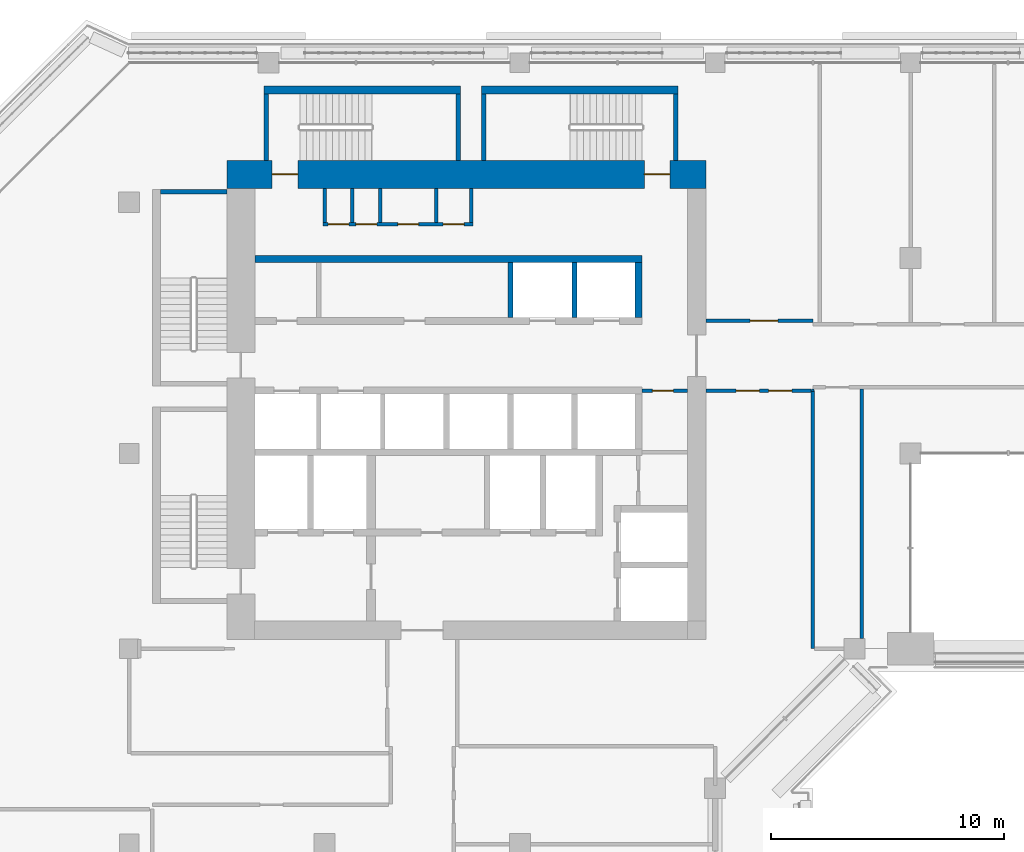
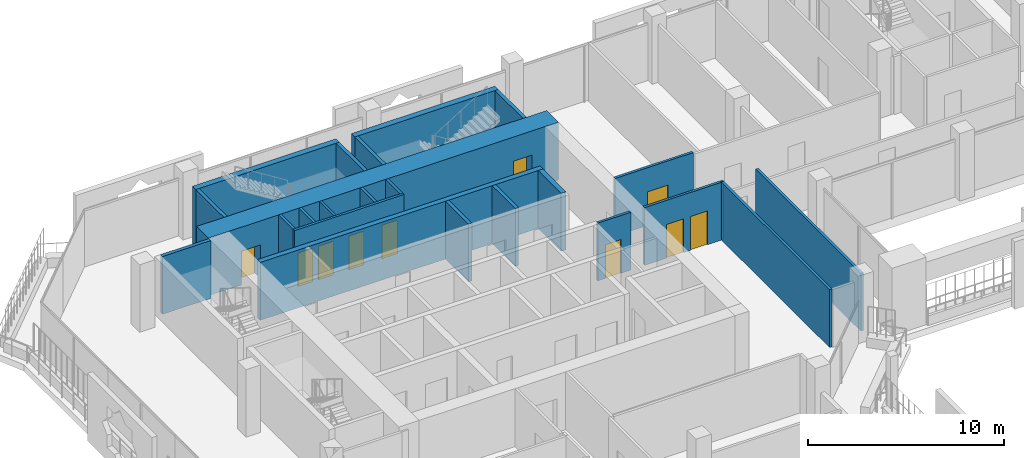
# One storey, part 14 of 23: 24 walls, 10 doors, 10 openings.
"""IFC4 building model written with IfcOpenShell, lengths in metres."""

from ifc_helpers import new_model, si_unit, direction, frame, frame_2d, origin, place, context, subcontext, project, spatial, rectangle, extrude, material, layer, layer_set, type_object, element, fill, save


model = new_model("IFC4")

# Units and contexts
model_context = context("Model", 3, precision=1e-05, world=origin(), true_north=direction((0.0, 1.0)))
body_context = subcontext(model_context, "Body", "Model", "MODEL_VIEW")
ifc_project = project(units=[si_unit("LENGTHUNIT", "METRE"), si_unit("AREAUNIT", "SQUARE_METRE"), si_unit("VOLUMEUNIT", "CUBIC_METRE"), si_unit("PLANEANGLEUNIT", "RADIAN"), si_unit("MASSUNIT", "GRAM", prefix="KILO")], contexts=[model_context])

# Site, building, storey
site_placement = place(None, origin())
site = spatial("IfcSite", under=ifc_project, at=site_placement, CompositionType="ELEMENT")
building_placement = place(site_placement, origin())
building = spatial("IfcBuilding", under=site, at=building_placement, Name="Kawkab Arch Medical Tower", CompositionType="ELEMENT")
storey_placement = place(building_placement, frame((0.0, 0.0, 226.39990234375)))
storey = spatial("IfcBuildingStorey", under=building, at=storey_placement, Name="L52", CompositionType="ELEMENT", Elevation=226.39990234375)

# Wall, openings, doors
ifc_material_1 = material(Name="Concrete C50/60", Category="concrete")
ifc_layer_1 = layer(ifc_material_1, 1.199951171875)
ifc_layer_set_1 = layer_set([ifc_layer_1], Name="Concrete C50/60")
wall_type_1 = type_object("IfcWallType", Name="Core ring wall 1200 C50/60", PredefinedType="SHEAR", material=ifc_layer_set_1)
wall_1_placement = place(storey_placement, frame((4.199951171875, -4.800048828125, 0.0), z_axis=(0.0, 0.0, 1.0), x_axis=(1.0, 0.0, 0.0)))
wall_1 = element("IfcWall", 1, at=wall_1_placement, inside=storey, type_object=wall_type_1, Name="L52 core wall", PredefinedType="SHEAR", context=body_context, shape_type="SweptSolid", body=[
    extrude(rectangle(XDim=20.60009765625, YDim=1.199951171875, at=frame_2d((10.300048828125, 0.0))), origin(), (0.0, 0.0, 1.0), 3.60009765625),
])
opening_1_placement = place(wall_1_placement, frame((1.949951171875, 0.0, 0.0)))
opening_1 = element("IfcOpeningElement", 2, at=opening_1_placement, cuts=wall_1, Name="Opening SD", PredefinedType="OPENING", context=body_context, shape_type="SweptSolid", body=[
    extrude(rectangle(XDim=1.10009765625, YDim=2.10009765625, at=frame_2d((0.550048828125, 1.050048828125))), frame((0.0, 0.60986328125, 0.0), z_axis=(0.0, -1.0, 0.0), x_axis=(1.0, 0.0, 0.0)), (0.0, 0.0, 1.0), 1.219970703125),
])
opening_2_placement = place(wall_1_placement, frame((17.949951171875, 0.0, 0.0)))
opening_2 = element("IfcOpeningElement", 3, at=opening_2_placement, cuts=wall_1, Name="Opening SD", PredefinedType="OPENING", context=body_context, shape_type="SweptSolid", body=[
    extrude(rectangle(XDim=1.10009765625, YDim=2.10009765625, at=frame_2d((0.550048828125, 1.050048828125))), frame((0.0, 0.60986328125, 0.0), z_axis=(0.0, -1.0, 0.0), x_axis=(1.0, 0.0, 0.0)), (0.0, 0.0, 1.0), 1.219970703125),
])
ifc_material_2 = material(Name="Hollow metal fire door leaf")
door_type_1 = type_object("IfcDoorType", Name="Exit stair door 1100", OperationType="SINGLE_SWING_LEFT", PredefinedType="DOOR", material=ifc_material_2)
door_1_placement = place(opening_1_placement, origin())
door_1 = element("IfcDoor", 4, at=door_1_placement, inside=storey, type_object=door_type_1, Name="L52 Exit stair ST3 door", OperationType="SINGLE_SWING_LEFT", OverallHeight=2.10009765625, OverallWidth=1.10009765625, PredefinedType="DOOR", context=body_context, shape_type="SweptSolid", body=[
    extrude(rectangle(XDim=1.10009765625, YDim=2.10009765625, at=frame_2d((0.550048828125, 1.050048828125))), frame((0.0, 0.02490234375, 0.0), z_axis=(0.0, -1.0, 0.0), x_axis=(1.0, 0.0, 0.0)), (0.0, 0.0, 1.0), 0.050048828125),
])
fill(opening_1, door_1)
door_2_placement = place(opening_2_placement, origin())
door_2 = element("IfcDoor", 5, at=door_2_placement, inside=storey, type_object=door_type_1, Name="L52 Exit stair ST4 door", OperationType="SINGLE_SWING_LEFT", OverallHeight=2.10009765625, OverallWidth=1.10009765625, PredefinedType="DOOR", context=body_context, shape_type="SweptSolid", body=[
    extrude(rectangle(XDim=1.10009765625, YDim=2.10009765625, at=frame_2d((0.550048828125, 1.050048828125))), frame((0.0, 0.02490234375, 0.0), z_axis=(0.0, -1.0, 0.0), x_axis=(1.0, 0.0, 0.0)), (0.0, 0.0, 1.0), 0.050048828125),
])
fill(opening_2, door_2)

# Wall, opening, door
ifc_material_3 = material(Name="Gypsum board on steel studs", Category="steel")
ifc_layer_2 = layer(ifc_material_3, 0.14990234375)
ifc_layer_set_2 = layer_set([ifc_layer_2], Name="Gypsum board on steel studs")
wall_type_2 = type_object("IfcWallType", Name="Core room partition 150", PredefinedType="PARTITIONING", material=ifc_layer_set_2)
wall_2_placement = place(storey_placement, frame((22.050048828125, -14.10009765625, 0.0), z_axis=(0.0, 0.0, 1.0), x_axis=(1.0, 0.0, 0.0)))
wall_2 = element("IfcWall", 6, at=wall_2_placement, inside=storey, type_object=wall_type_2, Name="L52 core room partition", PredefinedType="PARTITIONING", context=body_context, shape_type="SweptSolid", body=[
    extrude(rectangle(XDim=1.949951171875, YDim=0.14990234375, at=frame_2d((0.97509765625, 0.0))), origin(), (0.0, 0.0, 1.0), 3.60009765625),
])
opening_3_placement = place(wall_2_placement, frame((0.449951171875, 0.0, 0.0)))
opening_3 = element("IfcOpeningElement", 7, at=opening_3_placement, cuts=wall_2, Name="Opening RD", PredefinedType="OPENING", context=body_context, shape_type="SweptSolid", body=[
    extrude(rectangle(XDim=0.89990234375, YDim=2.10009765625, at=frame_2d((0.449951171875, 1.050048828125))), frame((0.0, 0.0849609375, 0.0), z_axis=(0.0, -1.0, 0.0), x_axis=(1.0, 0.0, 0.0)), (0.0, 0.0, 1.0), 0.169921875),
])
ifc_material_4 = material(Name="Hollow metal fire door leaf")
door_type_2 = type_object("IfcDoorType", Name="Core room door 900", OperationType="SINGLE_SWING_LEFT", PredefinedType="DOOR", material=ifc_material_4)
door_3_placement = place(opening_3_placement, origin())
door_3 = element("IfcDoor", 8, at=door_3_placement, inside=storey, type_object=door_type_2, Name="L52 Medical gas plant room door", OperationType="SINGLE_SWING_LEFT", OverallHeight=2.10009765625, OverallWidth=0.89990234375, PredefinedType="DOOR", context=body_context, shape_type="SweptSolid", body=[
    extrude(rectangle(XDim=0.89990234375, YDim=2.10009765625, at=frame_2d((0.449951171875, 1.050048828125))), frame((0.0, 0.02490234375, 0.0), z_axis=(0.0, -1.0, 0.0), x_axis=(1.0, 0.0, 0.0)), (0.0, 0.0, 1.0), 0.050048828125),
])
fill(opening_3, door_3)

# Wall, openings, doors
wall_3_placement = place(storey_placement, frame((8.324951171875, -6.949951171875, 0.0), z_axis=(0.0, 0.0, 1.0), x_axis=(1.0, 0.0, 0.0)))
wall_3 = element("IfcWall", 9, at=wall_3_placement, inside=storey, type_object=wall_type_2, Name="L52 core room partition", PredefinedType="PARTITIONING", context=body_context, shape_type="SweptSolid", body=[
    extrude(rectangle(XDim=6.449951171875, YDim=0.14990234375, at=frame_2d((3.22509765625, 0.0))), origin(), (0.0, 0.0, 1.0), 3.60009765625),
])
opening_4_placement = place(wall_3_placement, frame((0.22509765625, 0.0, 0.0)))
opening_4 = element("IfcOpeningElement", 10, at=opening_4_placement, cuts=wall_3, Name="Opening RD", PredefinedType="OPENING", context=body_context, shape_type="SweptSolid", body=[
    extrude(rectangle(XDim=0.89990234375, YDim=2.10009765625, at=frame_2d((0.449951171875, 1.050048828125))), frame((0.0, 0.0849609375, 0.0), z_axis=(0.0, -1.0, 0.0), x_axis=(1.0, 0.0, 0.0)), (0.0, 0.0, 1.0), 0.169921875),
])
opening_5_placement = place(wall_3_placement, frame((1.425048828125, 0.0, 0.0)))
opening_5 = element("IfcOpeningElement", 11, at=opening_5_placement, cuts=wall_3, Name="Opening RD", PredefinedType="OPENING", context=body_context, shape_type="SweptSolid", body=[
    extrude(rectangle(XDim=0.89990234375, YDim=2.10009765625, at=frame_2d((0.449951171875, 1.050048828125))), frame((0.0, 0.0849609375, 0.0), z_axis=(0.0, -1.0, 0.0), x_axis=(1.0, 0.0, 0.0)), (0.0, 0.0, 1.0), 0.169921875),
])
opening_6_placement = place(wall_3_placement, frame((3.22509765625, 0.0, 0.0)))
opening_6 = element("IfcOpeningElement", 12, at=opening_6_placement, cuts=wall_3, Name="Opening RD", PredefinedType="OPENING", context=body_context, shape_type="SweptSolid", body=[
    extrude(rectangle(XDim=0.89990234375, YDim=2.10009765625, at=frame_2d((0.449951171875, 1.050048828125))), frame((0.0, 0.0849609375, 0.0), z_axis=(0.0, -1.0, 0.0), x_axis=(1.0, 0.0, 0.0)), (0.0, 0.0, 1.0), 0.169921875),
])
opening_7_placement = place(wall_3_placement, frame((5.175048828125, 0.0, 0.0)))
opening_7 = element("IfcOpeningElement", 13, at=opening_7_placement, cuts=wall_3, Name="Opening RD", PredefinedType="OPENING", context=body_context, shape_type="SweptSolid", body=[
    extrude(rectangle(XDim=0.89990234375, YDim=2.10009765625, at=frame_2d((0.449951171875, 1.050048828125))), frame((0.0, 0.0849609375, 0.0), z_axis=(0.0, -1.0, 0.0), x_axis=(1.0, 0.0, 0.0)), (0.0, 0.0, 1.0), 0.169921875),
])
door_4_placement = place(opening_4_placement, origin())
door_4 = element("IfcDoor", 14, at=door_4_placement, inside=storey, type_object=door_type_2, Name="L52 Electrical riser room door", OperationType="SINGLE_SWING_LEFT", OverallHeight=2.10009765625, OverallWidth=0.89990234375, PredefinedType="DOOR", context=body_context, shape_type="SweptSolid", body=[
    extrude(rectangle(XDim=0.89990234375, YDim=2.10009765625, at=frame_2d((0.449951171875, 1.050048828125))), frame((0.0, 0.02490234375, 0.0), z_axis=(0.0, -1.0, 0.0), x_axis=(1.0, 0.0, 0.0)), (0.0, 0.0, 1.0), 0.050048828125),
])
fill(opening_4, door_4)
door_5_placement = place(opening_5_placement, origin())
door_5 = element("IfcDoor", 15, at=door_5_placement, inside=storey, type_object=door_type_2, Name="L52 Medication store door", OperationType="SINGLE_SWING_LEFT", OverallHeight=2.10009765625, OverallWidth=0.89990234375, PredefinedType="DOOR", context=body_context, shape_type="SweptSolid", body=[
    extrude(rectangle(XDim=0.89990234375, YDim=2.10009765625, at=frame_2d((0.449951171875, 1.050048828125))), frame((0.0, 0.02490234375, 0.0), z_axis=(0.0, -1.0, 0.0), x_axis=(1.0, 0.0, 0.0)), (0.0, 0.0, 1.0), 0.050048828125),
])
fill(opening_5, door_5)
door_6_placement = place(opening_6_placement, origin())
door_6 = element("IfcDoor", 16, at=door_6_placement, inside=storey, type_object=door_type_2, Name="L52 Clean utility room door", OperationType="SINGLE_SWING_LEFT", OverallHeight=2.10009765625, OverallWidth=0.89990234375, PredefinedType="DOOR", context=body_context, shape_type="SweptSolid", body=[
    extrude(rectangle(XDim=0.89990234375, YDim=2.10009765625, at=frame_2d((0.449951171875, 1.050048828125))), frame((0.0, 0.02490234375, 0.0), z_axis=(0.0, -1.0, 0.0), x_axis=(1.0, 0.0, 0.0)), (0.0, 0.0, 1.0), 0.050048828125),
])
fill(opening_6, door_6)
door_7_placement = place(opening_7_placement, origin())
door_7 = element("IfcDoor", 17, at=door_7_placement, inside=storey, type_object=door_type_2, Name="L52 Dirty utility room door", OperationType="SINGLE_SWING_LEFT", OverallHeight=2.10009765625, OverallWidth=0.89990234375, PredefinedType="DOOR", context=body_context, shape_type="SweptSolid", body=[
    extrude(rectangle(XDim=0.89990234375, YDim=2.10009765625, at=frame_2d((0.449951171875, 1.050048828125))), frame((0.0, 0.02490234375, 0.0), z_axis=(0.0, -1.0, 0.0), x_axis=(1.0, 0.0, 0.0)), (0.0, 0.0, 1.0), 0.050048828125),
])
fill(opening_7, door_7)

# Walls
for number, where, z_axis, x_axis, name in (
    (18, (8.39990234375, -6.875, 0.0), (0.0, 0.0, 1.0), (0.0, 1.0, 0.0), "L52 core room partition"),
    (19, (9.60009765625, -6.875, 0.0), (0.0, 0.0, 1.0), (0.0, 1.0, 0.0), "L52 core room partition"),
    (20, (10.800048828125, -6.875, 0.0), (0.0, 0.0, 1.0), (0.0, 1.0, 0.0), "L52 core room partition"),
    (21, (13.199951171875, -6.875, 0.0), (0.0, 0.0, 1.0), (0.0, 1.0, 0.0), "L52 core room partition"),
    (22, (14.699951171875, -6.875, 0.0), (0.0, 0.0, 1.0), (0.0, 1.0, 0.0), "L52 core room partition"),
):
    element("IfcWall", number, at=place(storey_placement, frame(where, z_axis=z_axis, x_axis=x_axis)), inside=storey, type_object=wall_type_2, Name=name, PredefinedType="PARTITIONING", context=body_context, shape_type="SweptSolid", body=[
        extrude(rectangle(XDim=1.47509765625, YDim=0.14990234375, at=frame_2d((0.737548828125, 0.0))), origin(), (0.0, 0.0, 1.0), 3.60009765625),
    ])
ifc_material_5 = material(Name="Concrete C60/75", Category="concrete")
ifc_layer_3 = layer(ifc_material_5, 0.300048828125)
ifc_layer_set_3 = layer_set([ifc_layer_3], Name="Concrete C60/75")
wall_type_3 = type_object("IfcWallType", Name="Core shear wall 300 C60/75", PredefinedType="SHEAR", material=ifc_layer_set_3)
wall_4_placement = place(storey_placement, frame((5.39990234375, -8.449951171875, 0.0), z_axis=(0.0, 0.0, 1.0), x_axis=(1.0, 0.0, 0.0)))
element("IfcWall", 23, at=wall_4_placement, inside=storey, type_object=wall_type_3, Name="L52 core shear wall", PredefinedType="SHEAR", context=body_context, shape_type="SweptSolid", body=[
    extrude(rectangle(XDim=16.650146484375, YDim=0.300048828125, at=frame_2d((8.3251953125, 0.0))), origin(), (0.0, 0.0, 1.0), 3.60009765625),
])
wall_5_placement = place(storey_placement, frame((21.89990234375, -10.949951171875, 0.0), z_axis=(0.0, 0.0, 1.0), x_axis=(0.0, 1.0, 0.0)))
element("IfcWall", 24, at=wall_5_placement, inside=storey, type_object=wall_type_3, Name="L52 core shear wall", PredefinedType="SHEAR", context=body_context, shape_type="SweptSolid", body=[
    extrude(rectangle(XDim=2.349853515625, YDim=0.300048828125, at=frame_2d((1.1748046875, 0.0))), origin(), (0.0, 0.0, 1.0), 3.60009765625),
])
ifc_material_6 = material(Name="Dense concrete blockwork", Category="masonry")
ifc_layer_4 = layer(ifc_material_6, 0.199951171875)
ifc_layer_set_4 = layer_set([ifc_layer_4], Name="Dense concrete blockwork")
wall_type_4 = type_object("IfcWallType", Name="Lift shaft partition 200", PredefinedType="PARTITIONING", material=ifc_layer_set_4)
for number, where, z_axis, x_axis, name in (
    (25, (16.39990234375, -10.949951171875, 0.0), (0.0, 0.0, 1.0), (0.0, 1.0, 0.0), "L52 lift shaft partition"),
    (26, (19.14990234375, -10.949951171875, 0.0), (0.0, 0.0, 1.0), (0.0, 1.0, 0.0), "L52 lift shaft partition"),
):
    element("IfcWall", number, at=place(storey_placement, frame(where, z_axis=z_axis, x_axis=x_axis)), inside=storey, type_object=wall_type_4, Name=name, PredefinedType="PARTITIONING", context=body_context, shape_type="SweptSolid", body=[
        extrude(rectangle(XDim=2.349853515625, YDim=0.199951171875, at=frame_2d((1.1748046875, 0.0))), origin(), (0.0, 0.0, 1.0), 3.60009765625),
    ])
ifc_material_7 = material(Name="Gypsum board partition on steel studs", Category="steel")
ifc_layer_5 = layer(ifc_material_7, 0.10009765625)
ifc_layer_set_5 = layer_set([ifc_layer_5], Name="Gypsum board partition on steel studs")
wall_type_5 = type_object("IfcWallType", Name="Partition 100", PredefinedType="PARTITIONING", material=ifc_layer_set_5)
wall_6_placement = place(storey_placement, frame((29.39990234375, -14.14697265625, 0.0), z_axis=(0.0, 0.0, 1.0), x_axis=(0.0, 1.0, 0.0)))
element("IfcWall", 27, at=wall_6_placement, inside=storey, type_object=wall_type_5, Name="Partition 100 w002", PredefinedType="PARTITIONING", context=body_context, shape_type="SweptSolid", body=[
    extrude(rectangle(XDim=0.119873046875, YDim=0.10009765625, at=frame_2d((0.06005859375, 0.0))), origin(), (0.0, 0.0, 1.0), 3.60009765625),
])

# Wall, openings, doors
ifc_material_8 = material(Name="Gypsum board partition on steel studs, mineral wool", Category="steel")
ifc_layer_6 = layer(ifc_material_8, 0.14990234375)
ifc_layer_set_6 = layer_set([ifc_layer_6], Name="Gypsum board partition on steel studs, mineral wool")
wall_type_6 = type_object("IfcWallType", Name="Partition 150", PredefinedType="PARTITIONING", material=ifc_layer_set_6)
wall_7_placement = place(storey_placement, frame((24.800048828125, -14.10009765625, 0.0), z_axis=(0.0, 0.0, 1.0), x_axis=(1.0, 0.0, 0.0)))
wall_7 = element("IfcWall", 28, at=wall_7_placement, inside=storey, type_object=wall_type_6, Name="Partition 150 w014", PredefinedType="PARTITIONING", context=body_context, shape_type="SweptSolid", body=[
    extrude(rectangle(XDim=4.52490234375, YDim=0.14990234375, at=frame_2d((2.262451171875, 0.0))), origin(), (0.0, 0.0, 1.0), 3.60009765625),
])
opening_8_placement = place(wall_7_placement, frame((2.699951171875, 0.0, 0.0)))
opening_8 = element("IfcOpeningElement", 29, at=opening_8_placement, cuts=wall_7, Name="Opening B52-003", PredefinedType="OPENING", context=body_context, shape_type="SweptSolid", body=[
    extrude(rectangle(XDim=1.0, YDim=2.10009765625, at=frame_2d((0.5, 1.050048828125))), frame((0.0, 0.0849609375, 0.0), z_axis=(0.0, -1.0, 0.0), x_axis=(1.0, 0.0, 0.0)), (0.0, 0.0, 1.0), 0.169921875),
])
opening_9_placement = place(wall_7_placement, frame((1.300048828125, 0.0, 0.0)))
opening_9 = element("IfcOpeningElement", 30, at=opening_9_placement, cuts=wall_7, Name="Opening B52-004", PredefinedType="OPENING", context=body_context, shape_type="SweptSolid", body=[
    extrude(rectangle(XDim=1.0, YDim=2.10009765625, at=frame_2d((0.5, 1.050048828125))), frame((0.0, 0.0849609375, 0.0), z_axis=(0.0, -1.0, 0.0), x_axis=(1.0, 0.0, 0.0)), (0.0, 0.0, 1.0), 0.169921875),
])
ifc_material_9 = material(Name="Hollow metal door leaf")
door_type_3 = type_object("IfcDoorType", Name="Single door 1000x2100 FD30S", OperationType="NOTDEFINED", PredefinedType="DOOR", material=ifc_material_9)
door_8_placement = place(opening_8_placement, origin())
door_8 = element("IfcDoor", 31, at=door_8_placement, inside=storey, type_object=door_type_3, Name="Door B52-003", OperationType="SINGLE_SWING_LEFT", OverallHeight=2.10009765625, OverallWidth=1.0, PredefinedType="DOOR", context=body_context, shape_type="SweptSolid", body=[
    extrude(rectangle(XDim=1.0, YDim=2.10009765625, at=frame_2d((0.5, 1.050048828125))), frame((0.0, 0.02490234375, 0.0), z_axis=(0.0, -1.0, 0.0), x_axis=(1.0, 0.0, 0.0)), (0.0, 0.0, 1.0), 0.050048828125),
])
fill(opening_8, door_8)
door_9_placement = place(opening_9_placement, origin())
door_9 = element("IfcDoor", 32, at=door_9_placement, inside=storey, type_object=door_type_3, Name="Door B52-004", OperationType="SINGLE_SWING_RIGHT", OverallHeight=2.10009765625, OverallWidth=1.0, PredefinedType="DOOR", context=body_context, shape_type="SweptSolid", body=[
    extrude(rectangle(XDim=1.0, YDim=2.10009765625, at=frame_2d((0.5, 1.050048828125))), frame((0.0, 0.02490234375, 0.0), z_axis=(0.0, -1.0, 0.0), x_axis=(1.0, 0.0, 0.0)), (0.0, 0.0, 1.0), 0.050048828125),
])
fill(opening_9, door_9)

# Wall, opening, door
wall_8_placement = place(storey_placement, frame((24.800048828125, -11.10009765625, 0.0), z_axis=(0.0, 0.0, 1.0), x_axis=(1.0, 0.0, 0.0)))
wall_8 = element("IfcWall", 33, at=wall_8_placement, inside=storey, type_object=wall_type_6, Name="Partition 150 w019", PredefinedType="PARTITIONING", context=body_context, shape_type="SweptSolid", body=[
    extrude(rectangle(XDim=4.599853515625, YDim=0.14990234375, at=frame_2d((2.2998046875, 0.0))), origin(), (0.0, 0.0, 1.0), 3.60009765625),
])
opening_10_placement = place(wall_8_placement, frame((1.89990234375, 0.0, 0.0)))
opening_10 = element("IfcOpeningElement", 34, at=opening_10_placement, cuts=wall_8, Name="Opening B52-025", PredefinedType="OPENING", context=body_context, shape_type="SweptSolid", body=[
    extrude(rectangle(XDim=1.199951171875, YDim=2.10009765625, at=frame_2d((0.60009765625, 1.050048828125))), frame((0.0, 0.0849609375, 0.0), z_axis=(0.0, -1.0, 0.0), x_axis=(1.0, 0.0, 0.0)), (0.0, 0.0, 1.0), 0.169921875),
])
ifc_material_10 = material(Name="Hollow metal door leaf")
door_type_4 = type_object("IfcDoorType", Name="Single door 1200x2100 FD30S", OperationType="NOTDEFINED", PredefinedType="DOOR", material=ifc_material_10)
door_10_placement = place(opening_10_placement, origin())
door_10 = element("IfcDoor", 35, at=door_10_placement, inside=storey, type_object=door_type_4, Name="Door B52-025", OperationType="SINGLE_SWING_RIGHT", OverallHeight=2.10009765625, OverallWidth=1.199951171875, PredefinedType="DOOR", context=body_context, shape_type="SweptSolid", body=[
    extrude(rectangle(XDim=1.199951171875, YDim=2.10009765625, at=frame_2d((0.60009765625, 1.050048828125))), frame((0.0, 0.02490234375, 0.0), z_axis=(0.0, -1.0, 0.0), x_axis=(1.0, 0.0, 0.0)), (0.0, 0.0, 1.0), 0.050048828125),
])
fill(opening_10, door_10)

# Walls
wall_9_placement = place(storey_placement, frame((29.39990234375, -25.199951171875, 0.0), z_axis=(0.0, 0.0, 1.0), x_axis=(0.0, 1.0, 0.0)))
element("IfcWall", 36, at=wall_9_placement, inside=storey, type_object=wall_type_6, Name="Partition 150 w037", PredefinedType="PARTITIONING", context=body_context, shape_type="SweptSolid", body=[
    extrude(rectangle(XDim=11.099853515625, YDim=0.14990234375, at=frame_2d((5.5498046875, 0.0))), origin(), (0.0, 0.0, 1.0), 3.60009765625),
])
wall_10_placement = place(storey_placement, frame((31.5, -24.75, 0.0), z_axis=(0.0, 0.0, 1.0), x_axis=(0.0, 1.0, 0.0)))
element("IfcWall", 37, at=wall_10_placement, inside=storey, type_object=wall_type_6, Name="Partition 150 w039", PredefinedType="PARTITIONING", context=body_context, shape_type="SweptSolid", body=[
    extrude(rectangle(XDim=10.72509765625, YDim=0.14990234375, at=frame_2d((5.362548828125, 0.0))), origin(), (0.0, 0.0, 1.0), 3.60009765625),
])
ifc_material_11 = material(Name="Concrete C50/60", Category="concrete")
ifc_layer_7 = layer(ifc_material_11, 0.199951171875)
ifc_layer_set_7 = layer_set([ifc_layer_7], Name="Concrete C50/60")
wall_type_7 = type_object("IfcWallType", Name="Stair enclosure wall 200 C50/60", PredefinedType="SHEAR", material=ifc_layer_set_7)
for number, where, z_axis, x_axis, name in (
    (38, (1.35009765625, -5.550048828125, 0.0), (0.0, 0.0, 1.0), (1.0, 0.0, 0.0), "L52 stair enclosure wall"),
    (39, (5.89990234375, -4.199951171875, 0.0), (0.0, 0.0, 1.0), (0.0, 1.0, 0.0), "L52 stair enclosure wall"),
    (40, (14.14990234375, -4.199951171875, 0.0), (0.0, 0.0, 1.0), (0.0, 1.0, 0.0), "L52 stair enclosure wall"),
    (41, (15.25, -4.199951171875, 0.0), (0.0, 0.0, 1.0), (0.0, 1.0, 0.0), "L52 stair enclosure wall"),
    (42, (23.5, -4.199951171875, 0.0), (0.0, 0.0, 1.0), (0.0, 1.0, 0.0), "L52 stair enclosure wall"),
):
    element("IfcWall", number, at=place(storey_placement, frame(where, z_axis=z_axis, x_axis=x_axis)), inside=storey, type_object=wall_type_7, Name=name, PredefinedType="SHEAR", context=body_context, shape_type="SweptSolid", body=[
        extrude(rectangle(XDim=2.849853515625, YDim=0.199951171875, at=frame_2d((1.4248046875, 0.0))), origin(), (0.0, 0.0, 1.0), 3.60009765625),
    ])
ifc_material_12 = material(Name="Concrete C50/60", Category="concrete")
ifc_layer_8 = layer(ifc_material_12, 0.35009765625)
ifc_layer_set_8 = layer_set([ifc_layer_8], Name="Concrete C50/60")
wall_type_8 = type_object("IfcWallType", Name="Stair enclosure wall 350 C50/60", PredefinedType="SHEAR", material=ifc_layer_set_8)
wall_11_placement = place(storey_placement, frame((5.800048828125, -1.175048828125, 0.0), z_axis=(0.0, 0.0, 1.0), x_axis=(1.0, 0.0, 0.0)))
element("IfcWall", 43, at=wall_11_placement, inside=storey, type_object=wall_type_8, Name="L52 stair enclosure wall", PredefinedType="SHEAR", context=body_context, shape_type="SweptSolid", body=[
    extrude(rectangle(XDim=8.449951171875, YDim=0.35009765625, at=frame_2d((4.22509765625, 0.0))), origin(), (0.0, 0.0, 1.0), 3.60009765625),
])
wall_12_placement = place(storey_placement, frame((15.14990234375, -1.175048828125, 0.0), z_axis=(0.0, 0.0, 1.0), x_axis=(1.0, 0.0, 0.0)))
element("IfcWall", 44, at=wall_12_placement, inside=storey, type_object=wall_type_8, Name="L52 stair enclosure wall", PredefinedType="SHEAR", context=body_context, shape_type="SweptSolid", body=[
    extrude(rectangle(XDim=8.4501953125, YDim=0.35009765625, at=frame_2d((4.22509765625, 0.0))), origin(), (0.0, 0.0, 1.0), 3.60009765625),
])

save(model, "model.ifc")
